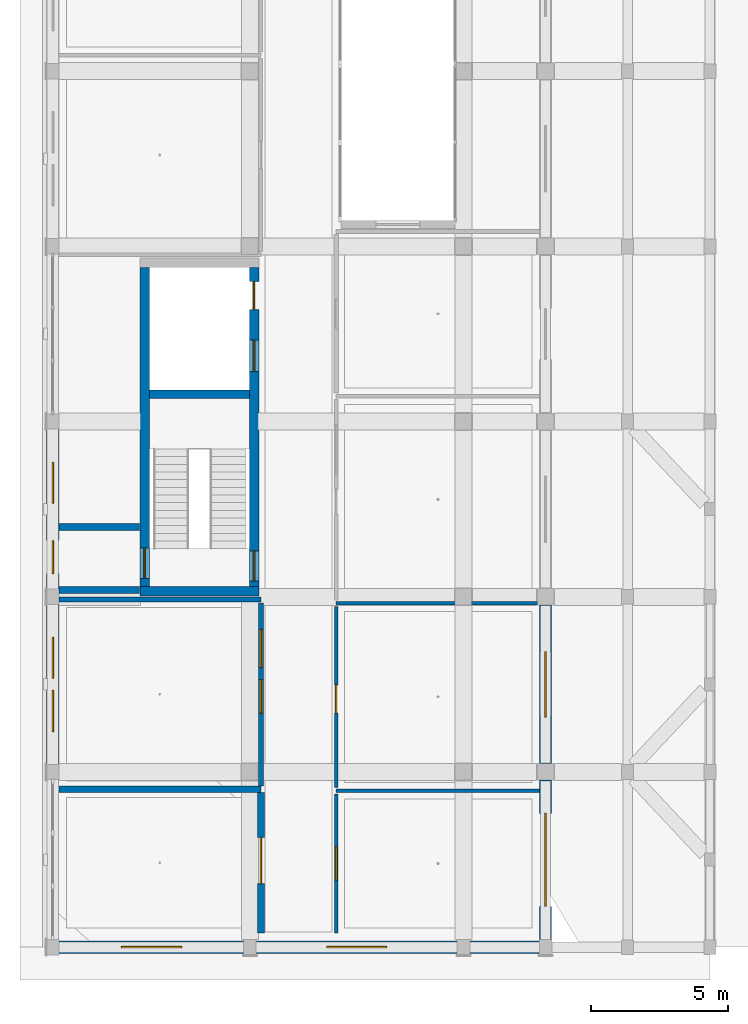
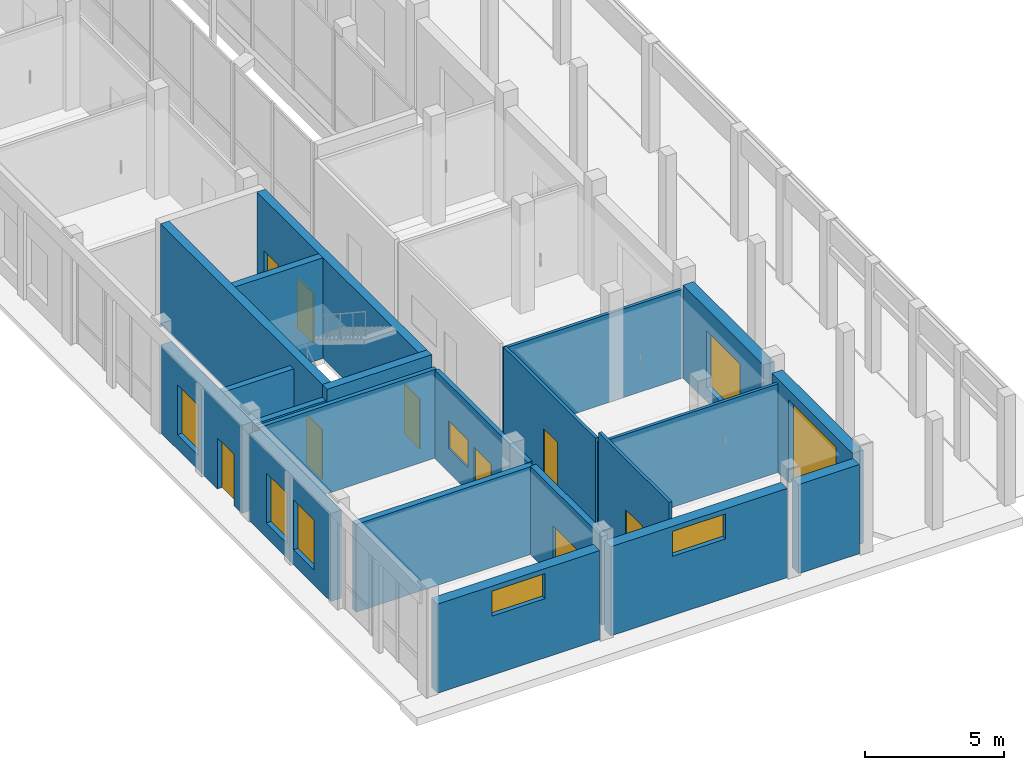
# One storey, part 46 of 88: 21 walls, 10 doors, 7 windows, 17 openings.
"""IFC4 building model written with IfcOpenShell, lengths in metres."""

from ifc_helpers import new_model, si_unit, derived_unit, direction, frame, frame_2d, origin, origin_with_axes, place, context, subcontext, project, spatial, rectangle, extrude, material, layer, layer_set, type_object, element, fill, save


model = new_model("IFC4")

# Units and contexts
model_context = context("Model", 3, precision=1e-05, world=origin(), true_north=direction((0.0, 1.0)))
body_context = subcontext(model_context, "Body", "Model", "MODEL_VIEW")
ifc_project = project(units=[si_unit("LENGTHUNIT", "METRE"), si_unit("AREAUNIT", "SQUARE_METRE"), si_unit("VOLUMEUNIT", "CUBIC_METRE"), si_unit("PLANEANGLEUNIT", "RADIAN"), si_unit("MASSUNIT", "GRAM", prefix="KILO"), derived_unit("THERMALTRANSMITTANCEUNIT", [(si_unit("POWERUNIT", "WATT"), 1), (si_unit("LENGTHUNIT", "METRE"), -2), (si_unit("THERMODYNAMICTEMPERATUREUNIT", "KELVIN"), -1)])], contexts=[model_context])

# Site, building, storey
site_placement = place(None, origin())
site = spatial("IfcSite", under=ifc_project, at=site_placement, CompositionType="ELEMENT")
building_placement = place(site_placement, origin())
building = spatial("IfcBuilding", under=site, at=building_placement, Name="Braskholm Square Health Centre", CompositionType="ELEMENT")
storey_placement = place(building_placement, origin())
storey = spatial("IfcBuildingStorey", under=building, at=storey_placement, Name="L01", CompositionType="ELEMENT", Elevation=0.0)

# Wall, openings, door, window
ifc_material_1 = material(Name="Fire-rated gypsum board barrier")
ifc_layer_1 = layer(ifc_material_1, 0.175048828125)
ifc_layer_set_1 = layer_set([ifc_layer_1], Name="Fire-rated gypsum board barrier")
wall_type_1 = type_object("IfcWallType", Name="AmbulatoryFirePartition175", PredefinedType="PARTITIONING", material=ifc_layer_set_1)
wall_1_placement = place(storey_placement, frame((11.800048828125, 10.090087890625, 0.0), z_axis=(0.0, 0.0, 1.0), x_axis=(0.0, 1.0, 0.0)))
wall_1 = element("IfcWall", 1, at=wall_1_placement, inside=storey, type_object=wall_type_1, Name="Interior partition PWALL-L01-0026", PredefinedType="PARTITIONING", context=body_context, shape_type="SweptSolid", body=[
    extrude(rectangle(XDim=6.68994140625, YDim=0.175048828125, at=frame_2d((3.344970703125, 0.0))), origin(), (0.0, 0.0, 1.0), 3.89501953125),
])
opening_1_placement = place(wall_1_placement, frame((2.659912109375, 0.0, 0.0)))
opening_1 = element("IfcOpeningElement", 2, at=opening_1_placement, cuts=wall_1, Name="Opening D-04", PredefinedType="OPENING", context=body_context, shape_type="SweptSolid", body=[
    extrude(rectangle(XDim=1.219970703125, YDim=2.199951171875, at=frame_2d((0.60986328125, 1.10009765625))), frame((0.0, 0.09765625, 0.0), z_axis=(0.0, -1.0, 0.0), x_axis=(1.0, 0.0, 0.0)), (0.0, 0.0, 1.0), 0.195068359375),
])
opening_2_placement = place(wall_1_placement, frame((4.31689453125, 0.0, 1.050048828125)))
opening_2 = element("IfcOpeningElement", 3, at=opening_2_placement, cuts=wall_1, Name="Opening WN-30", PredefinedType="OPENING", context=body_context, shape_type="SweptSolid", body=[
    extrude(rectangle(XDim=1.39990234375, YDim=1.199951171875, at=frame_2d((0.699951171875, 0.60009765625))), frame((0.0, 0.09765625, 0.0), z_axis=(0.0, -1.0, 0.0), x_axis=(1.0, 0.0, 0.0)), (0.0, 0.0, 1.0), 0.195068359375),
])
ifc_material_2 = material(Name="Architectural bronze anodised aluminium", Category="aluminium")
door_type_1 = type_object("IfcDoorType", Name="DoorBariatricExam1220x2200", OperationType="NOTDEFINED", PredefinedType="DOOR", material=ifc_material_2)
door_1_placement = place(opening_1_placement, origin_with_axes())
door_1 = element("IfcDoor", 4, at=door_1_placement, inside=storey, type_object=door_type_1, Name="Interior door 0011 L01", OperationType="SINGLE_SWING_LEFT", OverallHeight=2.199951171875, OverallWidth=1.219970703125, PredefinedType="DOOR", context=body_context, shape_type="SweptSolid", body=[
    extrude(rectangle(XDim=1.219970703125, YDim=2.199951171875, at=frame_2d((0.60986328125, 1.10009765625))), frame((0.0, 0.02490234375, 0.0), z_axis=(0.0, -1.0, 0.0), x_axis=(1.0, 0.0, 0.0)), (0.0, 0.0, 1.0), 0.050048828125),
])
fill(opening_1, door_1)
ifc_material_3 = material(Name="Low-E triple insulating glass (VLT 0.64)", Category="glass")
window_type_1 = type_object("IfcWindowType", Name="WinInteriorControl1400x1200", PartitioningType="SINGLE_PANEL", PredefinedType="WINDOW", material=ifc_material_3)
window_1_placement = place(opening_2_placement, origin_with_axes())
window_1 = element("IfcWindow", 5, at=window_1_placement, inside=storey, type_object=window_type_1, Name="Interior observation window 001 L01", OverallHeight=1.199951171875, OverallWidth=1.39990234375, PartitioningType="SINGLE_PANEL", PredefinedType="WINDOW", context=body_context, shape_type="SweptSolid", body=[
    extrude(rectangle(XDim=1.39990234375, YDim=1.199951171875, at=frame_2d((0.699951171875, 0.60009765625))), frame((0.0, 0.030029296875, 0.0), z_axis=(0.0, -1.0, 0.0), x_axis=(1.0, 0.0, 0.0)), (0.0, 0.0, 1.0), 0.06005859375),
])
fill(opening_2, window_1)

# Wall
wall_2_placement = place(storey_placement, frame((4.425048828125, 16.89990234375, 0.0), z_axis=(0.0, 0.0, 1.0), x_axis=(1.0, 0.0, 0.0)))
element("IfcWall", 6, at=wall_2_placement, inside=storey, type_object=wall_type_1, Name="Interior partition PWALL-L01-0027", PredefinedType="PARTITIONING", context=body_context, shape_type="SweptSolid", body=[
    extrude(rectangle(XDim=7.375, YDim=0.175048828125, at=frame_2d((3.6875, 0.0))), origin(), (0.0, 0.0, 1.0), 3.89501953125),
])

# Wall, opening, door
ifc_material_4 = material(Name="Acoustic gypsum board partition")
ifc_layer_2 = layer(ifc_material_4, 0.125)
ifc_layer_set_2 = layer_set([ifc_layer_2], Name="Acoustic gypsum board partition")
wall_type_2 = type_object("IfcWallType", Name="ClinicalExamPartition125", PredefinedType="PARTITIONING", material=ifc_layer_set_2)
wall_3_placement = place(storey_placement, frame((14.550048828125, 4.719970703125, 0.0), z_axis=(0.0, 0.0, 1.0), x_axis=(0.0, 1.0, 0.0)))
wall_3 = element("IfcWall", 7, at=wall_3_placement, inside=storey, type_object=wall_type_2, Name="Interior partition PWALL-L01-0050", PredefinedType="PARTITIONING", context=body_context, shape_type="SweptSolid", body=[
    extrude(rectangle(XDim=5.080078125, YDim=0.125, at=frame_2d((2.5400390625, 0.0))), origin(), (0.0, 0.0, 1.0), 4.4150390625),
])
opening_3_placement = place(wall_3_placement, frame((1.929931640625, 0.0, 0.0)))
opening_3 = element("IfcOpeningElement", 8, at=opening_3_placement, cuts=wall_3, Name="Opening D-04", PredefinedType="OPENING", context=body_context, shape_type="SweptSolid", body=[
    extrude(rectangle(XDim=1.219970703125, YDim=2.199951171875, at=frame_2d((0.60986328125, 1.10009765625))), frame((0.0, 0.072509765625, 0.0), z_axis=(0.0, -1.0, 0.0), x_axis=(1.0, 0.0, 0.0)), (0.0, 0.0, 1.0), 0.14501953125),
])
door_2_placement = place(opening_3_placement, frame((1.219970703125, 0.0, 0.0), z_axis=(0.0, 0.0, 1.0), x_axis=(-1.0, 0.0, 0.0)))
door_2 = element("IfcDoor", 9, at=door_2_placement, inside=storey, type_object=door_type_1, Name="Interior door 0022 L01", OperationType="SINGLE_SWING_LEFT", OverallHeight=2.199951171875, OverallWidth=1.219970703125, PredefinedType="DOOR", context=body_context, shape_type="SweptSolid", body=[
    extrude(rectangle(XDim=1.219970703125, YDim=2.199951171875, at=frame_2d((0.60986328125, 1.10009765625))), frame((0.0, 0.02490234375, 0.0), z_axis=(0.0, -1.0, 0.0), x_axis=(1.0, 0.0, 0.0)), (0.0, 0.0, 1.0), 0.050048828125),
])
fill(opening_3, door_2)

# Wall
wall_4_placement = place(storey_placement, frame((14.550048828125, 9.919921875, 0.0), z_axis=(0.0, 0.0, 1.0), x_axis=(1.0, 0.0, 0.0)))
element("IfcWall", 10, at=wall_4_placement, inside=storey, type_object=wall_type_2, Name="Interior partition PWALL-L01-0051", PredefinedType="PARTITIONING", context=body_context, shape_type="SweptSolid", body=[
    extrude(rectangle(XDim=7.425048828125, YDim=0.125, at=frame_2d((3.71240234375, 0.0))), origin(), (0.0, 0.0, 1.0), 3.89501953125),
])

# Wall, opening, door
wall_5_placement = place(storey_placement, frame((14.550048828125, 10.0400390625, 0.0), z_axis=(0.0, 0.0, 1.0), x_axis=(0.0, 1.0, 0.0)))
wall_5 = element("IfcWall", 11, at=wall_5_placement, inside=storey, type_object=wall_type_2, Name="Interior partition PWALL-L01-0052", PredefinedType="PARTITIONING", context=body_context, shape_type="SweptSolid", body=[
    extrude(rectangle(XDim=6.60986328125, YDim=0.125, at=frame_2d((3.304931640625, 0.0))), origin(), (0.0, 0.0, 1.0), 4.014892578125),
])
opening_4_placement = place(wall_5_placement, frame((2.718017578125, 0.0, 0.0)))
opening_4 = element("IfcOpeningElement", 12, at=opening_4_placement, cuts=wall_5, Name="Opening D-25", PredefinedType="OPENING", context=body_context, shape_type="SweptSolid", body=[
    extrude(rectangle(XDim=1.02001953125, YDim=2.179931640625, at=frame_2d((0.510009765625, 1.08984375))), frame((0.0, 0.072509765625, 0.0), z_axis=(0.0, -1.0, 0.0), x_axis=(1.0, 0.0, 0.0)), (0.0, 0.0, 1.0), 0.14501953125),
])
door_type_2 = type_object("IfcDoorType", Name="DoorConsultWide1020x2180", OperationType="NOTDEFINED", PredefinedType="DOOR", material=ifc_material_2)
door_3_placement = place(opening_4_placement, frame((1.02001953125, 0.0, 0.0), z_axis=(0.0, 0.0, 1.0), x_axis=(-1.0, 0.0, 0.0)))
door_3 = element("IfcDoor", 13, at=door_3_placement, inside=storey, type_object=door_type_2, Name="Interior door 0023 L01", OperationType="SINGLE_SWING_RIGHT", OverallHeight=2.179931640625, OverallWidth=1.02001953125, PredefinedType="DOOR", context=body_context, shape_type="SweptSolid", body=[
    extrude(rectangle(XDim=1.02001953125, YDim=2.179931640625, at=frame_2d((0.510009765625, 1.08984375))), frame((0.0, 0.02490234375, 0.0), z_axis=(0.0, -1.0, 0.0), x_axis=(1.0, 0.0, 0.0)), (0.0, 0.0, 1.0), 0.050048828125),
])
fill(opening_4, door_3)

# Wall
wall_6_placement = place(storey_placement, frame((14.550048828125, 16.77001953125, 0.0), z_axis=(0.0, 0.0, 1.0), x_axis=(1.0, 0.0, 0.0)))
element("IfcWall", 14, at=wall_6_placement, inside=storey, type_object=wall_type_2, Name="Interior partition PWALL-L01-0053", PredefinedType="PARTITIONING", context=body_context, shape_type="SweptSolid", body=[
    extrude(rectangle(XDim=7.425048828125, YDim=0.125, at=frame_2d((3.71240234375, 0.0))), origin(), (0.0, 0.0, 1.0), 3.89501953125),
])

# Wall, openings, windows
ifc_material_5 = material(Name="Mankato-Kasota dolomitic limestone ashlar", Category="masonry")
ifc_layer_3 = layer(ifc_material_5, 0.449951171875)
ifc_layer_set_3 = layer_set([ifc_layer_3], Name="Mankato-Kasota dolomitic limestone ashlar")
wall_type_3 = type_object("IfcWallType", Name="ExteriorKasotaWall450", PredefinedType="SOLIDWALL", material=ifc_layer_set_3)
wall_7_placement = place(storey_placement, frame((4.199951171875, 16.718017578125, 0.0), z_axis=(0.0, 0.0, 1.0), x_axis=(0.0, -1.0, 0.0)))
wall_7 = element("IfcWall", 15, at=wall_7_placement, inside=storey, type_object=wall_type_3, Name="Exterior wall EWALL-L01-0001", PredefinedType="SOLIDWALL", context=body_context, shape_type="SweptSolid", body=[
    extrude(rectangle(XDim=5.8359375, YDim=0.449951171875, at=frame_2d((2.91796875, 0.0))), origin(), (0.0, 0.0, 1.0), 3.8701171875),
])
opening_5_placement = place(wall_7_placement, frame((1.195068359375, 0.0, 0.64990234375)))
opening_5 = element("IfcOpeningElement", 16, at=opening_5_placement, cuts=wall_7, Name="Opening WN-03", PredefinedType="OPENING", context=body_context, shape_type="SweptSolid", body=[
    extrude(rectangle(XDim=1.5, YDim=2.199951171875, at=frame_2d((0.75, 1.10009765625))), frame((0.0, 0.23486328125, 0.0), z_axis=(0.0, -1.0, 0.0), x_axis=(1.0, 0.0, 0.0)), (0.0, 0.0, 1.0), 0.469970703125),
])
opening_6_placement = place(wall_7_placement, frame((3.14111328125, 0.0, 0.64990234375)))
opening_6 = element("IfcOpeningElement", 17, at=opening_6_placement, cuts=wall_7, Name="Opening WN-03", PredefinedType="OPENING", context=body_context, shape_type="SweptSolid", body=[
    extrude(rectangle(XDim=1.5, YDim=2.199951171875, at=frame_2d((0.75, 1.10009765625))), frame((0.0, 0.23486328125, 0.0), z_axis=(0.0, -1.0, 0.0), x_axis=(1.0, 0.0, 0.0)), (0.0, 0.0, 1.0), 0.469970703125),
])
window_type_2 = type_object("IfcWindowType", Name="WinArtDecoTwin1500x2200", PartitioningType="SINGLE_PANEL", PredefinedType="WINDOW", material=ifc_material_3)
window_2_placement = place(opening_5_placement, origin_with_axes())
window_2 = element("IfcWindow", 18, at=window_2_placement, inside=storey, type_object=window_type_2, Name="Exterior window 0001 L01", OverallHeight=2.199951171875, OverallWidth=1.5, PartitioningType="SINGLE_PANEL", PredefinedType="WINDOW", context=body_context, shape_type="SweptSolid", body=[
    extrude(rectangle(XDim=1.5, YDim=2.199951171875, at=frame_2d((0.75, 1.10009765625))), frame((0.0, 0.030029296875, 0.0), z_axis=(0.0, -1.0, 0.0), x_axis=(1.0, 0.0, 0.0)), (0.0, 0.0, 1.0), 0.06005859375),
])
fill(opening_5, window_2)
window_3_placement = place(opening_6_placement, origin_with_axes())
window_3 = element("IfcWindow", 19, at=window_3_placement, inside=storey, type_object=window_type_2, Name="Exterior window 0002 L01", OverallHeight=2.199951171875, OverallWidth=1.5, PartitioningType="SINGLE_PANEL", PredefinedType="WINDOW", context=body_context, shape_type="SweptSolid", body=[
    extrude(rectangle(XDim=1.5, YDim=2.199951171875, at=frame_2d((0.75, 1.10009765625))), frame((0.0, 0.030029296875, 0.0), z_axis=(0.0, -1.0, 0.0), x_axis=(1.0, 0.0, 0.0)), (0.0, 0.0, 1.0), 0.06005859375),
])
fill(opening_6, window_3)

# Wall, openings, door, window
wall_8_placement = place(storey_placement, frame((4.199951171875, 23.117919921875, 0.0), z_axis=(0.0, 0.0, 1.0), x_axis=(0.0, -1.0, 0.0)))
wall_8 = element("IfcWall", 20, at=wall_8_placement, inside=storey, type_object=wall_type_3, Name="Exterior wall EWALL-L01-0002", PredefinedType="SOLIDWALL", context=body_context, shape_type="SweptSolid", body=[
    extrude(rectangle(XDim=5.8359375, YDim=0.449951171875, at=frame_2d((2.91796875, 0.0))), origin(), (0.0, 0.0, 1.0), 3.8701171875),
])
opening_7_placement = place(wall_8_placement, frame((4.069091796875, 0.0, 0.0)))
opening_7 = element("IfcOpeningElement", 21, at=opening_7_placement, cuts=wall_8, Name="Opening D-E3", PredefinedType="OPENING", context=body_context, shape_type="SweptSolid", body=[
    extrude(rectangle(XDim=1.199951171875, YDim=2.25, at=frame_2d((0.60009765625, 1.125))), frame((0.0, 0.23486328125, 0.0), z_axis=(0.0, -1.0, 0.0), x_axis=(1.0, 0.0, 0.0)), (0.0, 0.0, 1.0), 0.469970703125),
])
opening_8_placement = place(wall_8_placement, frame((1.195068359375, 0.0, 0.64990234375)))
opening_8 = element("IfcOpeningElement", 22, at=opening_8_placement, cuts=wall_8, Name="Opening WN-03", PredefinedType="OPENING", context=body_context, shape_type="SweptSolid", body=[
    extrude(rectangle(XDim=1.5, YDim=2.199951171875, at=frame_2d((0.75, 1.10009765625))), frame((0.0, 0.23486328125, 0.0), z_axis=(0.0, -1.0, 0.0), x_axis=(1.0, 0.0, 0.0)), (0.0, 0.0, 1.0), 0.469970703125),
])
door_type_3 = type_object("IfcDoorType", Name="DoorStairExitDischarge1200x2250", OperationType="NOTDEFINED", PredefinedType="DOOR", material=ifc_material_2)
door_4_placement = place(opening_7_placement, frame((1.199951171875, 0.0, 0.0), z_axis=(0.0, 0.0, 1.0), x_axis=(-1.0, 0.0, 0.0)))
door_4 = element("IfcDoor", 23, at=door_4_placement, inside=storey, type_object=door_type_3, Name="Exterior door 0001 L01", OperationType="SINGLE_SWING_LEFT", OverallHeight=2.25, OverallWidth=1.199951171875, PredefinedType="DOOR", context=body_context, shape_type="SweptSolid", body=[
    extrude(rectangle(XDim=1.199951171875, YDim=2.25, at=frame_2d((0.60009765625, 1.125))), frame((0.0, 0.02490234375, 0.0), z_axis=(0.0, -1.0, 0.0), x_axis=(1.0, 0.0, 0.0)), (0.0, 0.0, 1.0), 0.050048828125),
])
fill(opening_7, door_4)
window_4_placement = place(opening_8_placement, origin_with_axes())
window_4 = element("IfcWindow", 24, at=window_4_placement, inside=storey, type_object=window_type_2, Name="Exterior window 0003 L01", OverallHeight=2.199951171875, OverallWidth=1.5, PartitioningType="SINGLE_PANEL", PredefinedType="WINDOW", context=body_context, shape_type="SweptSolid", body=[
    extrude(rectangle(XDim=1.5, YDim=2.199951171875, at=frame_2d((0.75, 1.10009765625))), frame((0.0, 0.030029296875, 0.0), z_axis=(0.0, -1.0, 0.0), x_axis=(1.0, 0.0, 0.0)), (0.0, 0.0, 1.0), 0.06005859375),
])
fill(opening_8, window_4)

# Wall, opening, door
wall_9_placement = place(storey_placement, frame((22.199951171875, 4.48193359375, 0.0), z_axis=(0.0, 0.0, 1.0), x_axis=(0.0, 1.0, 0.0)))
wall_9 = element("IfcWall", 25, at=wall_9_placement, inside=storey, type_object=wall_type_3, Name="Exterior wall EWALL-L01-0094", PredefinedType="SOLIDWALL", context=body_context, shape_type="SweptSolid", body=[
    extrude(rectangle(XDim=5.816162109375, YDim=0.449951171875, at=frame_2d((2.908203125, 0.0))), origin(), (0.0, 0.0, 1.0), 4.090087890625),
])
opening_9_placement = place(wall_9_placement, frame((1.2080078125, 0.0, 0.0)))
opening_9 = element("IfcOpeningElement", 26, at=opening_9_placement, cuts=wall_9, Name="Opening DV-2", PredefinedType="OPENING", context=body_context, shape_type="SweptSolid", body=[
    extrude(rectangle(XDim=3.39990234375, YDim=3.64990234375, at=frame_2d((1.699951171875, 1.824951171875))), frame((0.0, 0.23486328125, 0.0), z_axis=(0.0, -1.0, 0.0), x_axis=(1.0, 0.0, 0.0)), (0.0, 0.0, 1.0), 0.469970703125),
])
door_type_4 = type_object("IfcDoorType", Name="GateLoadingRoller3400x3650", OperationType="ROLLINGUP", PredefinedType="GATE", material=ifc_material_2)
door_5_placement = place(opening_9_placement, frame((3.39990234375, 0.0, 0.0), z_axis=(0.0, 0.0, 1.0), x_axis=(-1.0, 0.0, 0.0)))
door_5 = element("IfcDoor", 27, at=door_5_placement, inside=storey, type_object=door_type_4, Name="Exterior door 0007 L01", OperationType="ROLLINGUP", OverallHeight=3.64990234375, OverallWidth=3.39990234375, PredefinedType="GATE", context=body_context, shape_type="SweptSolid", body=[
    extrude(rectangle(XDim=3.39990234375, YDim=3.64990234375, at=frame_2d((1.699951171875, 1.824951171875))), frame((0.0, 0.02490234375, 0.0), z_axis=(0.0, -1.0, 0.0), x_axis=(1.0, 0.0, 0.0)), (0.0, 0.0, 1.0), 0.050048828125),
])
fill(opening_9, door_5)

# Wall, opening, window
wall_10_placement = place(storey_placement, frame((22.199951171875, 10.902099609375, 0.0), z_axis=(0.0, 0.0, 1.0), x_axis=(0.0, 1.0, 0.0)))
wall_10 = element("IfcWall", 28, at=wall_10_placement, inside=storey, type_object=wall_type_3, Name="Exterior wall EWALL-L01-0095", PredefinedType="SOLIDWALL", context=body_context, shape_type="SweptSolid", body=[
    extrude(rectangle(XDim=5.7958984375, YDim=0.449951171875, at=frame_2d((2.89794921875, 0.0))), origin(), (0.0, 0.0, 1.0), 4.090087890625),
])
opening_10_placement = place(wall_10_placement, frame((1.697998046875, 0.0, 0.60009765625)))
opening_10 = element("IfcOpeningElement", 29, at=opening_10_placement, cuts=wall_10, Name="Opening WN-05", PredefinedType="OPENING", context=body_context, shape_type="SweptSolid", body=[
    extrude(rectangle(XDim=2.39990234375, YDim=2.5, at=frame_2d((1.199951171875, 1.25))), frame((0.0, 0.23486328125, 0.0), z_axis=(0.0, -1.0, 0.0), x_axis=(1.0, 0.0, 0.0)), (0.0, 0.0, 1.0), 0.469970703125),
])
window_type_3 = type_object("IfcWindowType", Name="WinStorefrontSquare2400x2500", PartitioningType="SINGLE_PANEL", PredefinedType="WINDOW", material=ifc_material_3)
window_5_placement = place(opening_10_placement, origin_with_axes())
window_5 = element("IfcWindow", 30, at=window_5_placement, inside=storey, type_object=window_type_3, Name="Exterior window 0169 L01", OverallHeight=2.5, OverallWidth=2.39990234375, PartitioningType="SINGLE_PANEL", PredefinedType="WINDOW", context=body_context, shape_type="SweptSolid", body=[
    extrude(rectangle(XDim=2.39990234375, YDim=2.5, at=frame_2d((1.199951171875, 1.25))), frame((0.0, 0.030029296875, 0.0), z_axis=(0.0, -1.0, 0.0), x_axis=(1.0, 0.0, 0.0)), (0.0, 0.0, 1.0), 0.06005859375),
])
fill(opening_10, window_5)

wall_11_placement = place(storey_placement, frame((4.431884765625, 4.199951171875, 0.0), z_axis=(0.0, 0.0, 1.0), x_axis=(1.0, 0.0, 0.0)))
wall_11 = element("IfcWall", 31, at=wall_11_placement, inside=storey, type_object=wall_type_3, Name="Exterior wall EWALL-L01-0225", PredefinedType="SOLIDWALL", context=body_context, shape_type="SweptSolid", body=[
    extrude(rectangle(XDim=6.736083984375, YDim=0.449951171875, at=frame_2d((3.3681640625, 0.0))), origin(), (0.0, 0.0, 1.0), 3.919921875),
])
opening_11_placement = place(wall_11_placement, frame((2.26806640625, 0.0, 2.60009765625)))
opening_11 = element("IfcOpeningElement", 32, at=opening_11_placement, cuts=wall_11, Name="Opening WN-28", PredefinedType="OPENING", context=body_context, shape_type="SweptSolid", body=[
    extrude(rectangle(XDim=2.199951171875, YDim=1.10009765625, at=frame_2d((1.10009765625, 0.550048828125))), frame((0.0, 0.23486328125, 0.0), z_axis=(0.0, -1.0, 0.0), x_axis=(1.0, 0.0, 0.0)), (0.0, 0.0, 1.0), 0.469970703125),
])
window_type_4 = type_object("IfcWindowType", Name="WinClerestoryRibbon2200x1100", PartitioningType="SINGLE_PANEL", PredefinedType="WINDOW", material=ifc_material_3)
window_6_placement = place(opening_11_placement, origin_with_axes())
window_6 = element("IfcWindow", 33, at=window_6_placement, inside=storey, type_object=window_type_4, Name="Exterior window 0280 L01", OverallHeight=1.10009765625, OverallWidth=2.199951171875, PartitioningType="SINGLE_PANEL", PredefinedType="WINDOW", context=body_context, shape_type="SweptSolid", body=[
    extrude(rectangle(XDim=2.199951171875, YDim=1.10009765625, at=frame_2d((1.10009765625, 0.550048828125))), frame((0.0, 0.030029296875, 0.0), z_axis=(0.0, -1.0, 0.0), x_axis=(1.0, 0.0, 0.0)), (0.0, 0.0, 1.0), 0.06005859375),
])
fill(opening_11, window_6)

wall_12_placement = place(storey_placement, frame((11.632080078125, 4.199951171875, 0.0), z_axis=(0.0, 0.0, 1.0), x_axis=(1.0, 0.0, 0.0)))
wall_12 = element("IfcWall", 34, at=wall_12_placement, inside=storey, type_object=wall_type_3, Name="Exterior wall EWALL-L01-0226", PredefinedType="SOLIDWALL", context=body_context, shape_type="SweptSolid", body=[
    extrude(rectangle(XDim=7.3359375, YDim=0.449951171875, at=frame_2d((3.66796875, 0.0))), origin(), (0.0, 0.0, 1.0), 3.919921875),
])
opening_12_placement = place(wall_12_placement, frame((2.568115234375, 0.0, 2.60009765625)))
opening_12 = element("IfcOpeningElement", 35, at=opening_12_placement, cuts=wall_12, Name="Opening WN-28", PredefinedType="OPENING", context=body_context, shape_type="SweptSolid", body=[
    extrude(rectangle(XDim=2.199951171875, YDim=1.10009765625, at=frame_2d((1.10009765625, 0.550048828125))), frame((0.0, 0.23486328125, 0.0), z_axis=(0.0, -1.0, 0.0), x_axis=(1.0, 0.0, 0.0)), (0.0, 0.0, 1.0), 0.469970703125),
])
window_7_placement = place(opening_12_placement, origin_with_axes())
window_7 = element("IfcWindow", 36, at=window_7_placement, inside=storey, type_object=window_type_4, Name="Exterior window 0281 L01", OverallHeight=1.10009765625, OverallWidth=2.199951171875, PartitioningType="SINGLE_PANEL", PredefinedType="WINDOW", context=body_context, shape_type="SweptSolid", body=[
    extrude(rectangle(XDim=2.199951171875, YDim=1.10009765625, at=frame_2d((1.10009765625, 0.550048828125))), frame((0.0, 0.030029296875, 0.0), z_axis=(0.0, -1.0, 0.0), x_axis=(1.0, 0.0, 0.0)), (0.0, 0.0, 1.0), 0.06005859375),
])
fill(opening_12, window_7)

# Walls
wall_13_placement = place(storey_placement, frame((19.431884765625, 4.199951171875, 0.0), z_axis=(0.0, 0.0, 1.0), x_axis=(1.0, 0.0, 0.0)))
element("IfcWall", 37, at=wall_13_placement, inside=storey, type_object=wall_type_3, Name="Exterior wall EWALL-L01-0227", PredefinedType="SOLIDWALL", context=body_context, shape_type="SweptSolid", body=[
    extrude(rectangle(XDim=2.5361328125, YDim=0.449951171875, at=frame_2d((1.26806640625, 0.0))), origin(), (0.0, 0.0, 1.0), 3.919921875),
])
ifc_material_6 = material(Name="Concrete C35/45 (f'c = 35 MPa)", Category="concrete")
ifc_layer_4 = layer(ifc_material_6, 0.25)
ifc_layer_set_4 = layer_set([ifc_layer_4], Name="Concrete C35/45 (f'c = 35 MPa)")
wall_type_4 = type_object("IfcWallType", Name="FireBarrierWall250", PredefinedType="SOLIDWALL", material=ifc_layer_set_4)
for number, where, z_axis, x_axis, name in (
    (38, (4.425048828125, 17.25, 0.0), (0.0, 0.0, 1.0), (1.0, 0.0, 0.0), "Interior partition PWALL-L01-0016"),
    (39, (4.425048828125, 19.550048828125, 0.0), (0.0, 0.0, 1.0), (1.0, 0.0, 0.0), "Interior partition PWALL-L01-0017"),
):
    element("IfcWall", number, at=place(storey_placement, frame(where, z_axis=z_axis, x_axis=x_axis)), inside=storey, type_object=wall_type_4, Name=name, PredefinedType="SOLIDWALL", context=body_context, shape_type="SweptSolid", body=[
        extrude(rectangle(XDim=2.945068359375, YDim=0.25, at=frame_2d((1.47265625, 0.0))), origin(), (0.0, 0.0, 1.0), 3.864990234375),
    ])

# Wall, opening, door
wall_14_placement = place(storey_placement, frame((11.800048828125, 4.719970703125, 0.0), z_axis=(0.0, 0.0, 1.0), x_axis=(0.0, 1.0, 0.0)))
wall_14 = element("IfcWall", 40, at=wall_14_placement, inside=storey, type_object=wall_type_4, Name="Interior partition PWALL-L01-0024", PredefinedType="SOLIDWALL", context=body_context, shape_type="SweptSolid", body=[
    extrude(rectangle(XDim=5.130126953125, YDim=0.25, at=frame_2d((2.56494140625, 0.0))), origin(), (0.0, 0.0, 1.0), 3.89501953125),
])
opening_13_placement = place(wall_14_placement, frame((1.802001953125, 0.0, 0.0)))
opening_13 = element("IfcOpeningElement", 41, at=opening_13_placement, cuts=wall_14, Name="Opening D-19", PredefinedType="OPENING", context=body_context, shape_type="SweptSolid", body=[
    extrude(rectangle(XDim=1.679931640625, YDim=2.25, at=frame_2d((0.83984375, 1.125))), frame((0.0, 0.135009765625, 0.0), z_axis=(0.0, -1.0, 0.0), x_axis=(1.0, 0.0, 0.0)), (0.0, 0.0, 1.0), 0.27001953125),
])
door_type_5 = type_object("IfcDoorType", Name="DoorFireBarrierPair1680x2250", OperationType="DOUBLE_DOOR_SINGLE_SWING", PredefinedType="DOOR", material=ifc_material_2)
door_6_placement = place(opening_13_placement, origin_with_axes())
door_6 = element("IfcDoor", 42, at=door_6_placement, inside=storey, type_object=door_type_5, Name="Interior door 0010 L01", OperationType="DOUBLE_DOOR_SINGLE_SWING", OverallHeight=2.25, OverallWidth=1.679931640625, PredefinedType="DOOR", context=body_context, shape_type="SweptSolid", body=[
    extrude(rectangle(XDim=1.679931640625, YDim=2.25, at=frame_2d((0.83984375, 1.125))), frame((0.0, 0.02490234375, 0.0), z_axis=(0.0, -1.0, 0.0), x_axis=(1.0, 0.0, 0.0)), (0.0, 0.0, 1.0), 0.050048828125),
])
fill(opening_13, door_6)

# Walls
wall_15_placement = place(storey_placement, frame((4.425048828125, 9.969970703125, 0.0), z_axis=(0.0, 0.0, 1.0), x_axis=(1.0, 0.0, 0.0)))
element("IfcWall", 43, at=wall_15_placement, inside=storey, type_object=wall_type_4, Name="Interior partition PWALL-L01-0025", PredefinedType="SOLIDWALL", context=body_context, shape_type="SweptSolid", body=[
    extrude(rectangle(XDim=7.375, YDim=0.25, at=frame_2d((3.6875, 0.0))), origin(), (0.0, 0.0, 1.0), 3.864990234375),
])
ifc_material_7 = material(Name="Concrete C40/50 (f'c = 40 MPa)", Category="concrete")
ifc_layer_5 = layer(ifc_material_7, 0.300048828125)
ifc_layer_set_5 = layer_set([ifc_layer_5], Name="Concrete C40/50 (f'c = 40 MPa)")
wall_type_5 = type_object("IfcWallType", Name="ShearCoreWall300", PredefinedType="SHEAR", material=ifc_layer_set_5)
wall_16_placement = place(storey_placement, frame((7.72509765625, 24.39990234375, 0.0), z_axis=(0.0, 0.0, 1.0), x_axis=(1.0, 0.0, 0.0)))
element("IfcWall", 44, at=wall_16_placement, inside=storey, type_object=wall_type_5, Name="Core K1 internal shear divider L01", PredefinedType="SHEAR", context=body_context, shape_type="SweptSolid", body=[
    extrude(rectangle(XDim=3.64990234375, YDim=0.300048828125, at=frame_2d((1.824951171875, 0.0))), origin(), (0.0, 0.0, 1.0), 4.419921875),
])
ifc_layer_6 = layer(ifc_material_7, 0.35009765625)
ifc_layer_set_6 = layer_set([ifc_layer_6], Name="Concrete C40/50 (f'c = 40 MPa)")
wall_type_6 = type_object("IfcWallType", Name="ShearCoreWall350", PredefinedType="SHEAR", material=ifc_layer_set_6)
wall_17_placement = place(storey_placement, frame((7.375, 17.199951171875, 0.0), z_axis=(0.0, 0.0, 1.0), x_axis=(1.0, 0.0, 0.0)))
element("IfcWall", 45, at=wall_17_placement, inside=storey, type_object=wall_type_6, Name="CWALL-K1-L01 south wall", PredefinedType="SHEAR", context=body_context, shape_type="SweptSolid", body=[
    extrude(rectangle(XDim=4.35009765625, YDim=0.35009765625, at=frame_2d((2.175048828125, 0.0))), origin(), (0.0, 0.0, 1.0), 4.419921875),
])

# Wall, opening, door
wall_18_placement = place(storey_placement, frame((7.550048828125, 29.02490234375, 0.0), z_axis=(0.0, 0.0, 1.0), x_axis=(0.0, -1.0, 0.0)))
wall_18 = element("IfcWall", 46, at=wall_18_placement, inside=storey, type_object=wall_type_6, Name="CWALL-K1-L01 west wall", PredefinedType="SHEAR", context=body_context, shape_type="SweptSolid", body=[
    extrude(rectangle(XDim=11.64990234375, YDim=0.35009765625, at=frame_2d((5.824951171875, 0.0))), origin(), (0.0, 0.0, 1.0), 4.419921875),
])
opening_14_placement = place(wall_18_placement, frame((10.25, 0.0, 0.0)))
opening_14 = element("IfcOpeningElement", 47, at=opening_14_placement, cuts=wall_18, Name="Opening D-22", PredefinedType="OPENING", context=body_context, shape_type="SweptSolid", body=[
    extrude(rectangle(XDim=1.10009765625, YDim=2.199951171875, at=frame_2d((0.550048828125, 1.10009765625))), frame((0.0, 0.18505859375, 0.0), z_axis=(0.0, -1.0, 0.0), x_axis=(1.0, 0.0, 0.0)), (0.0, 0.0, 1.0), 0.3701171875),
])
door_type_6 = type_object("IfcDoorType", Name="DoorStairEnclosure1100x2200", OperationType="NOTDEFINED", PredefinedType="DOOR", material=ifc_material_2)
door_7_placement = place(opening_14_placement, frame((1.10009765625, 0.0, 0.0), z_axis=(0.0, 0.0, 1.0), x_axis=(-1.0, 0.0, 0.0)))
door_7 = element("IfcDoor", 48, at=door_7_placement, inside=storey, type_object=door_type_6, Name="Stair ST-01 protected exit passage door", OperationType="SINGLE_SWING_LEFT", OverallHeight=2.199951171875, OverallWidth=1.10009765625, PredefinedType="DOOR", context=body_context, shape_type="SweptSolid", body=[
    extrude(rectangle(XDim=1.10009765625, YDim=2.199951171875, at=frame_2d((0.550048828125, 1.10009765625))), frame((0.0, 0.02490234375, 0.0), z_axis=(0.0, -1.0, 0.0), x_axis=(1.0, 0.0, 0.0)), (0.0, 0.0, 1.0), 0.050048828125),
])
fill(opening_14, door_7)

# Wall, openings, doors
wall_19_placement = place(storey_placement, frame((11.550048828125, 17.375, 0.0), z_axis=(0.0, 0.0, 1.0), x_axis=(0.0, 1.0, 0.0)))
wall_19 = element("IfcWall", 49, at=wall_19_placement, inside=storey, type_object=wall_type_6, Name="CWALL-K1-L01 east wall", PredefinedType="SHEAR", context=body_context, shape_type="SweptSolid", body=[
    extrude(rectangle(XDim=11.64990234375, YDim=0.35009765625, at=frame_2d((5.824951171875, 0.0))), origin(), (0.0, 0.0, 1.0), 4.419921875),
])
opening_15_placement = place(wall_19_placement, frame((0.199951171875, 0.0, 0.0)))
opening_15 = element("IfcOpeningElement", 50, at=opening_15_placement, cuts=wall_19, Name="Opening D-22", PredefinedType="OPENING", context=body_context, shape_type="SweptSolid", body=[
    extrude(rectangle(XDim=1.10009765625, YDim=2.199951171875, at=frame_2d((0.550048828125, 1.10009765625))), frame((0.0, 0.18505859375, 0.0), z_axis=(0.0, -1.0, 0.0), x_axis=(1.0, 0.0, 0.0)), (0.0, 0.0, 1.0), 0.3701171875),
])
opening_16_placement = place(wall_19_placement, frame((7.85009765625, 0.0, 0.0)))
opening_16 = element("IfcOpeningElement", 51, at=opening_16_placement, cuts=wall_19, Name="Opening LD-1", PredefinedType="OPENING", context=body_context, shape_type="SweptSolid", body=[
    extrude(rectangle(XDim=1.14990234375, YDim=2.199951171875, at=frame_2d((0.574951171875, 1.10009765625))), frame((0.0, 0.18505859375, 0.0), z_axis=(0.0, -1.0, 0.0), x_axis=(1.0, 0.0, 0.0)), (0.0, 0.0, 1.0), 0.3701171875),
])
opening_17_placement = place(wall_19_placement, frame((10.114990234375, 0.0, 0.0)))
opening_17 = element("IfcOpeningElement", 52, at=opening_17_placement, cuts=wall_19, Name="Opening LD-2", PredefinedType="OPENING", context=body_context, shape_type="SweptSolid", body=[
    extrude(rectangle(XDim=1.02001953125, YDim=2.14990234375, at=frame_2d((0.510009765625, 1.074951171875))), frame((0.0, 0.18505859375, 0.0), z_axis=(0.0, -1.0, 0.0), x_axis=(1.0, 0.0, 0.0)), (0.0, 0.0, 1.0), 0.3701171875),
])
door_type_7 = type_object("IfcDoorType", Name="DoorLiftLandingPassenger1020x2150", OperationType="SLIDING_TO_LEFT", PredefinedType="DOOR", material=ifc_material_2)
door_8_placement = place(opening_17_placement, origin_with_axes())
door_8 = element("IfcDoor", 53, at=door_8_placement, inside=storey, type_object=door_type_7, Name="Elevator EL-03 sliding landing door L01", OperationType="SLIDING_TO_LEFT", OverallHeight=2.14990234375, OverallWidth=1.02001953125, PredefinedType="DOOR", context=body_context, shape_type="SweptSolid", body=[
    extrude(rectangle(XDim=1.02001953125, YDim=2.14990234375, at=frame_2d((0.510009765625, 1.074951171875))), frame((0.0, 0.02490234375, 0.0), z_axis=(0.0, -1.0, 0.0), x_axis=(1.0, 0.0, 0.0)), (0.0, 0.0, 1.0), 0.050048828125),
])
fill(opening_17, door_8)
door_type_8 = type_object("IfcDoorType", Name="DoorLiftLandingStretcher1150x2200", OperationType="SLIDING_TO_LEFT", PredefinedType="DOOR", material=ifc_material_2)
door_9_placement = place(opening_16_placement, origin_with_axes())
door_9 = element("IfcDoor", 54, at=door_9_placement, inside=storey, type_object=door_type_8, Name="Elevator EL-01 sliding landing door L01", OperationType="SLIDING_TO_LEFT", OverallHeight=2.199951171875, OverallWidth=1.14990234375, PredefinedType="DOOR", context=body_context, shape_type="SweptSolid", body=[
    extrude(rectangle(XDim=1.14990234375, YDim=2.199951171875, at=frame_2d((0.574951171875, 1.10009765625))), frame((0.0, 0.02490234375, 0.0), z_axis=(0.0, -1.0, 0.0), x_axis=(1.0, 0.0, 0.0)), (0.0, 0.0, 1.0), 0.050048828125),
])
fill(opening_16, door_9)
door_10_placement = place(opening_15_placement, origin_with_axes())
door_10 = element("IfcDoor", 55, at=door_10_placement, inside=storey, type_object=door_type_6, Name="Stair ST-01 door L01", OperationType="SINGLE_SWING_LEFT", OverallHeight=2.199951171875, OverallWidth=1.10009765625, PredefinedType="DOOR", context=body_context, shape_type="SweptSolid", body=[
    extrude(rectangle(XDim=1.10009765625, YDim=2.199951171875, at=frame_2d((0.550048828125, 1.10009765625))), frame((0.0, 0.02490234375, 0.0), z_axis=(0.0, -1.0, 0.0), x_axis=(1.0, 0.0, 0.0)), (0.0, 0.0, 1.0), 0.050048828125),
])
fill(opening_15, door_10)

save(model, "model.ifc")
